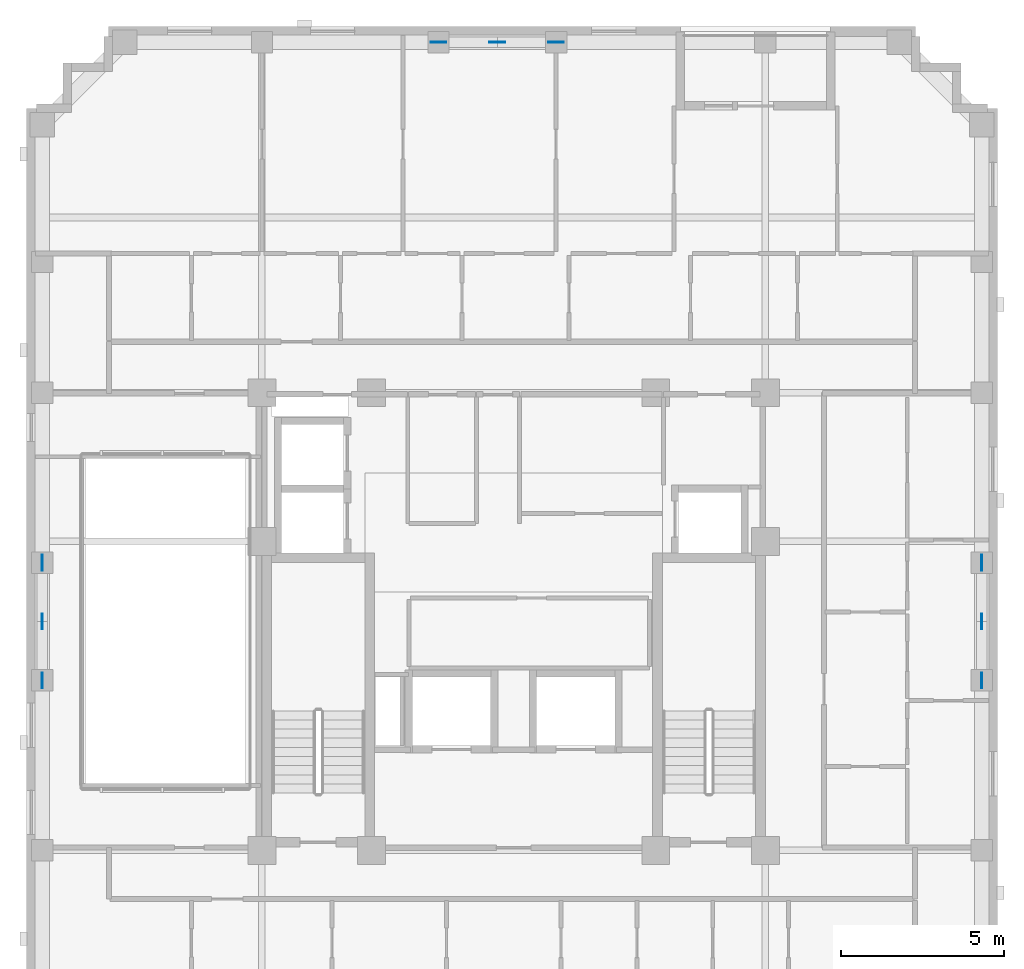
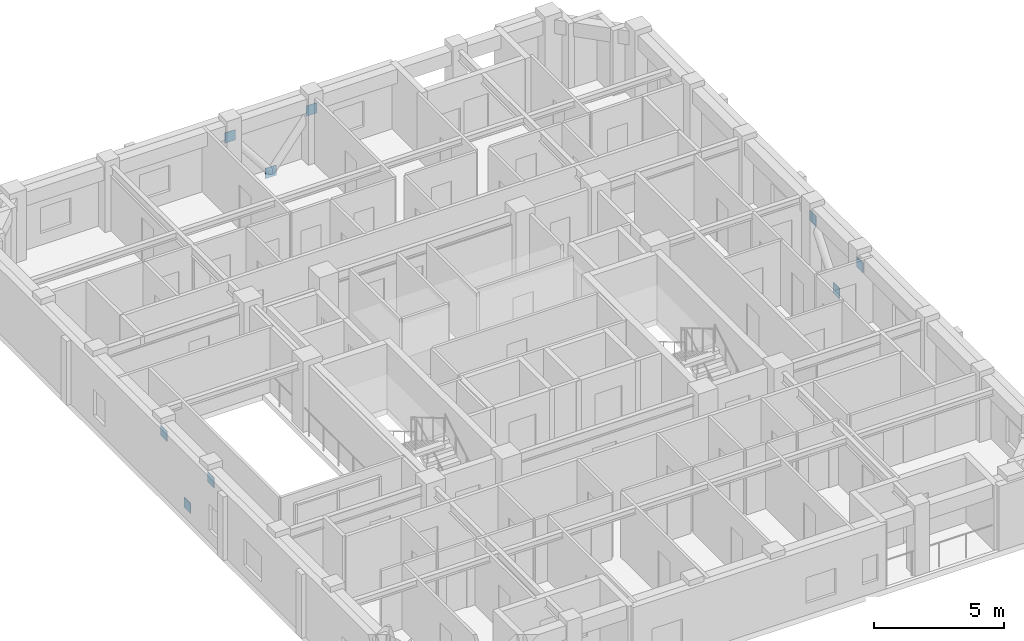
# One storey, part 10 of 12: 9 discrete accessories.
"""IFC4 building model written with IfcOpenShell, lengths in metres."""

from ifc_helpers import new_model, si_unit, derived_unit, direction, frame, origin, origin_2d, place, context, subcontext, project, spatial, rectangle, extrude, material, layer, layer_set, type_object, element, save


model = new_model("IFC4")

# Units and contexts
model_context = context("Model", 3, precision=1e-05, world=origin(), true_north=direction((0.0, 1.0)))
body_context = subcontext(model_context, "Body", "Model", "MODEL_VIEW")
ifc_project = project(units=[si_unit("LENGTHUNIT", "METRE"), si_unit("AREAUNIT", "SQUARE_METRE"), si_unit("VOLUMEUNIT", "CUBIC_METRE"), si_unit("PLANEANGLEUNIT", "RADIAN"), si_unit("MASSUNIT", "GRAM", prefix="KILO"), derived_unit("THERMALTRANSMITTANCEUNIT", [(si_unit("MASSUNIT", "GRAM", prefix="KILO"), 1), (si_unit("TIMEUNIT", "SECOND"), -3), (si_unit("THERMODYNAMICTEMPERATUREUNIT", "KELVIN"), -1)])], contexts=[model_context])

# Site, building, storey
site_placement = place(None, origin())
site = spatial("IfcSite", under=ifc_project, at=site_placement, CompositionType="ELEMENT")
building_placement = place(site_placement, origin())
building = spatial("IfcBuilding", under=site, at=building_placement, Name="Korrvale Station Residences", CompositionType="ELEMENT")
storey_placement = place(building_placement, frame((0.0, 0.0, 184.300048828125)))
storey = spatial("IfcBuildingStorey", under=building, at=storey_placement, Name="L53", CompositionType="ELEMENT", Elevation=184.300048828125)

# Discrete accessories
ifc_material = material(Name="Steel S355", Category="steel")
ifc_layer = layer(ifc_material, 0.02490234375, Name="Steel S355")
ifc_layer_set = layer_set([ifc_layer], Name="Steel S355")
discrete_accessory_type = type_object("IfcDiscreteAccessoryType", Name="ACC-GUSSET-25", PredefinedType="BRACKET", material=ifc_layer_set)
for number, where, z_axis, x_axis, name in (
    (1, (25.0, 39.719970703125, -0.219970703125), (0.0, 0.0, 1.0), (1.0, 0.0, 0.0), "L53 N Brace End Gusset Connection M"),
    (2, (23.199951171875, 39.719970703125, 2.070068359375), (0.0, 0.0, 1.0), (1.0, 0.0, 0.0), "L53 N Brace End Gusset Connection A"),
    (3, (26.800048828125, 39.719970703125, 2.070068359375), (0.0, 0.0, 1.0), (1.0, 0.0, 0.0), "L53 N Brace End Gusset Connection B"),
    (4, (11.080078125, 22.0, -0.219970703125), (0.0, 0.0, 1.0), (0.0, 1.0, 0.0), "L53 W Brace End Gusset Connection M"),
    (5, (11.080078125, 20.199951171875, 2.070068359375), (0.0, 0.0, 1.0), (0.0, 1.0, 0.0), "L53 W Brace End Gusset Connection A"),
    (6, (11.080078125, 23.800048828125, 2.070068359375), (0.0, 0.0, 1.0), (0.0, 1.0, 0.0), "L53 W Brace End Gusset Connection B"),
    (7, (39.820068359375, 22.0, -0.219970703125), (0.0, 0.0, 1.0), (0.0, 1.0, 0.0), "L53 E Brace End Gusset Connection M"),
    (8, (39.820068359375, 20.199951171875, 2.070068359375), (0.0, 0.0, 1.0), (0.0, 1.0, 0.0), "L53 E Brace End Gusset Connection A"),
    (9, (39.820068359375, 23.800048828125, 2.070068359375), (0.0, 0.0, 1.0), (0.0, 1.0, 0.0), "L53 E Brace End Gusset Connection B"),
):
    element("IfcDiscreteAccessory", number, at=place(storey_placement, frame(where, z_axis=z_axis, x_axis=x_axis)), inside=storey, type_object=discrete_accessory_type, Name=name, PredefinedType="BRACKET", context=body_context, shape_type="SweptSolid", body=[
        extrude(rectangle(XDim=0.47998046875, YDim=0.02490234375, at=origin_2d()), origin(), (0.0, 0.0, 1.0), 0.47998046875),
    ])

save(model, "model.ifc")
